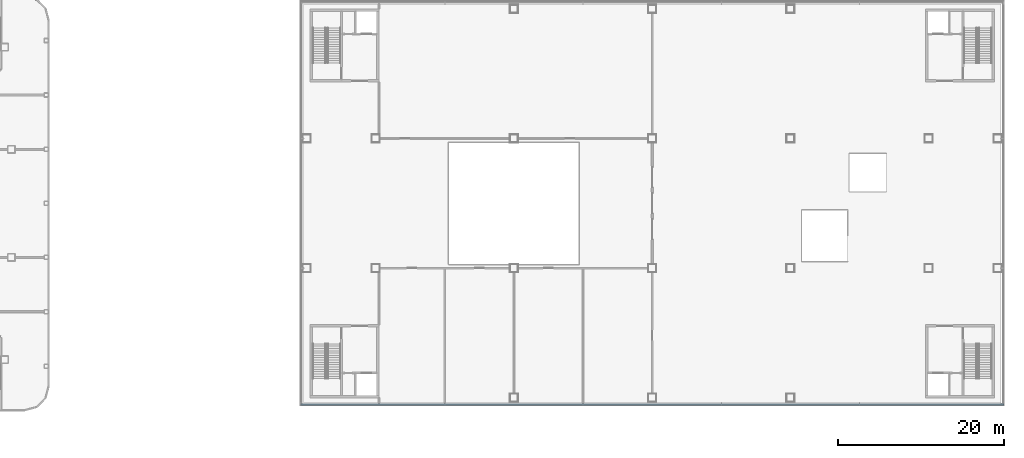
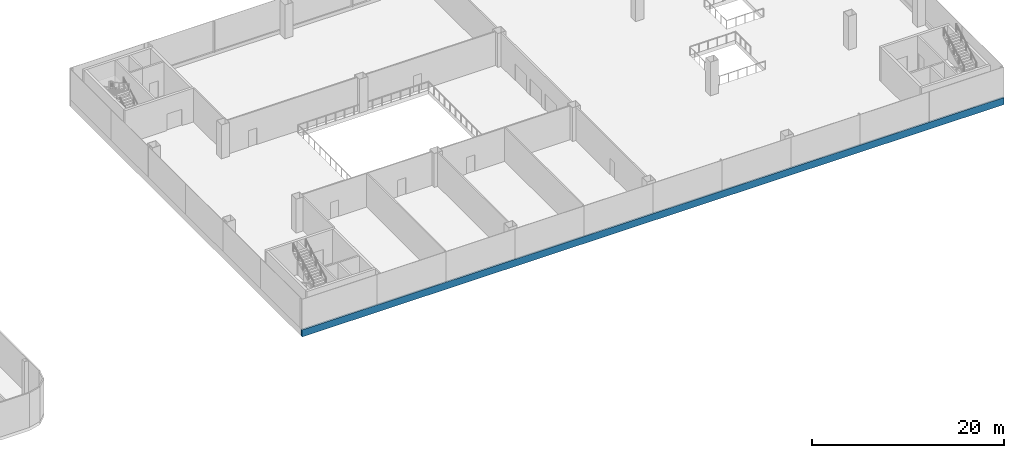
# One storey, part 11 of 53: 1 member, 1 element without a shape of its own.
"""IFC4 building model written with IfcOpenShell, lengths in metres."""

from ifc_helpers import new_model, si_unit, direction, frame, origin, origin_2d, place, context, subcontext, project, spatial, rectangle, extrude, material, layer, layer_set, material_profile, profile_set, type_object, element, aggregate, save


model = new_model("IFC4")

# Units and contexts
model_context = context("Model", 3, precision=1e-05, world=origin(), true_north=direction((0.0, 1.0)))
body_context = subcontext(model_context, "Body", "Model", "MODEL_VIEW")
ifc_project = project(units=[si_unit("LENGTHUNIT", "METRE"), si_unit("AREAUNIT", "SQUARE_METRE"), si_unit("VOLUMEUNIT", "CUBIC_METRE"), si_unit("PLANEANGLEUNIT", "RADIAN"), si_unit("MASSUNIT", "GRAM", prefix="KILO")], contexts=[model_context])

# Site, building, storey
site_placement = place(None, origin())
site = spatial("IfcSite", under=ifc_project, at=site_placement, CompositionType="ELEMENT")
building_placement = place(site_placement, origin())
building = spatial("IfcBuilding", under=site, at=building_placement, Name="Hakoniwa Tower and Hamabe Station Hall", CompositionType="ELEMENT")
storey_placement = place(building_placement, frame((0.0, 0.0, 15.0)))
storey = spatial("IfcBuildingStorey", under=building, at=storey_placement, Name="L03", CompositionType="ELEMENT", Elevation=15.0)

# Curtain wall, member
ifc_material_1 = material(Name="Dark low-e laminated glass", Category="glass")
ifc_layer = layer(ifc_material_1, 0.199951171875)
ifc_layer_set = layer_set([ifc_layer], Name="CW-7 STATION")
curtain_wall_type = type_object("IfcCurtainWallType", Name="CW-7 STATION", PredefinedType="NOTDEFINED", material=ifc_layer_set)
curtain_wall_placement = place(storey_placement, origin())
curtain_wall = element("IfcCurtainWall", 1, at=curtain_wall_placement, inside=storey, type_object=curtain_wall_type, Name="Station curtain wall L03 south", PredefinedType="NOTDEFINED")
ifc_material_2 = material(Name="Aluminium 6063-T5 black anodised", Category="aluminium")
ifc_material_profile = material_profile(ifc_material_2, rectangle(XDim=0.199951171875, YDim=0.89990234375, at=origin_2d()), Name="CW SLAB-EDGE BAND 900X200")
ifc_profile_set = profile_set([ifc_material_profile], Name="Aluminium 6063-T5 black anodised")
member_type = type_object("IfcMemberType", Name="CW SLAB-EDGE BAND 900X200", PredefinedType="USERDEFINED", material=ifc_profile_set)
member_placement = place(storey_placement, frame((85.25, -24.199951171875, -0.10009765625), z_axis=(1.0, 0.0, 0.0), x_axis=(0.0, 1.0, 0.0)))
member = element("IfcMember", 2, at=member_placement, type_object=member_type, Name="CW-7 transom", ObjectType="TRANSOM", PredefinedType="USERDEFINED", context=body_context, shape_type="SweptSolid", body=[
    extrude(rectangle(XDim=0.199951171875, YDim=0.89990234375, at=origin_2d()), origin(), (0.0, 0.0, 1.0), 84.60009765625),
])
aggregate(curtain_wall, [member])

save(model, "model.ifc")
